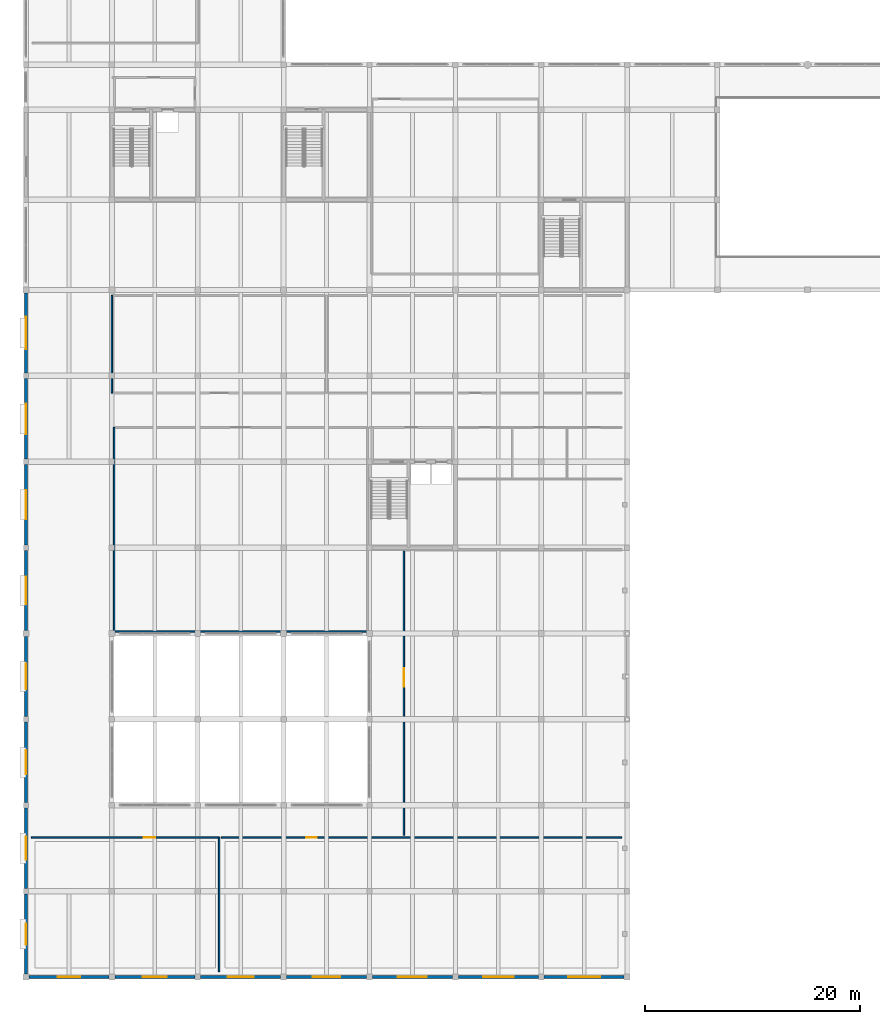
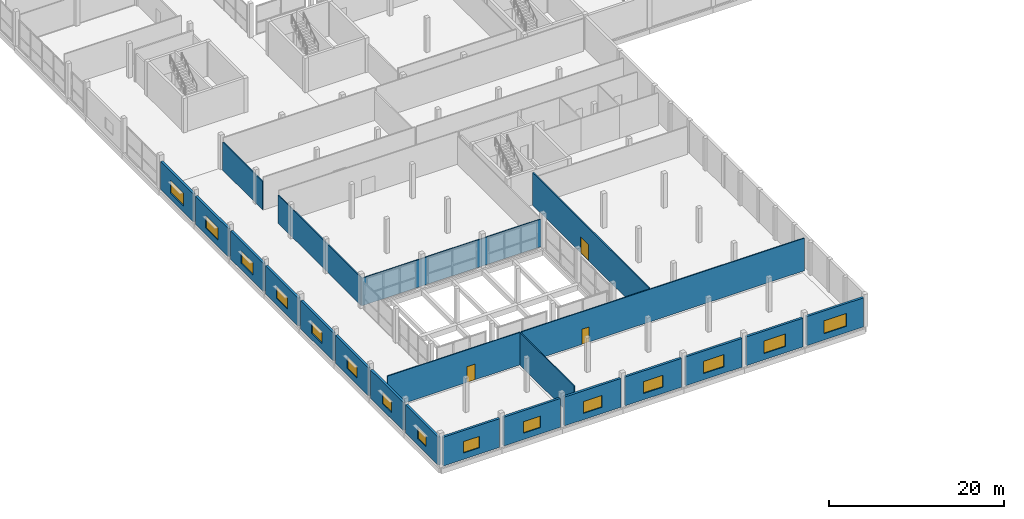
# One storey, part 32 of 47: 22 walls, 15 windows, 3 doors, 18 openings.
"""IFC4 building model written with IfcOpenShell, lengths in metres."""

from ifc_helpers import new_model, si_unit, direction, frame, frame_2d, origin, place, context, subcontext, project, spatial, rectangle, extrude, material, layer, layer_set, type_object, element, fill, save


model = new_model("IFC4")

# Units and contexts
model_context = context("Model", 3, precision=1e-05, world=origin(), true_north=direction((0.0, 1.0)))
body_context = subcontext(model_context, "Body", "Model", "MODEL_VIEW")
ifc_project = project(units=[si_unit("LENGTHUNIT", "METRE"), si_unit("AREAUNIT", "SQUARE_METRE"), si_unit("VOLUMEUNIT", "CUBIC_METRE"), si_unit("PLANEANGLEUNIT", "RADIAN"), si_unit("MASSUNIT", "GRAM", prefix="KILO")], contexts=[model_context])

# Site, building, storey
site_placement = place(None, origin())
site = spatial("IfcSite", under=ifc_project, at=site_placement, CompositionType="ELEMENT")
building_placement = place(site_placement, origin())
building = spatial("IfcBuilding", under=site, at=building_placement, Name="Vharandega Faculty of Natural Sciences", CompositionType="ELEMENT")
storey_placement = place(building_placement, frame((0.0, 0.0, 5.39990234375)))
storey = spatial("IfcBuildingStorey", under=building, at=storey_placement, Name="L01", CompositionType="ELEMENT", Elevation=5.39990234375)

# Wall, opening, door
ifc_material_1 = material(Name="Gypsum fire-board on steel stud", Category="steel")
ifc_layer_1 = layer(ifc_material_1, 0.159912109375, Name="Gypsum fire-board on steel stud")
ifc_layer_set_1 = layer_set([ifc_layer_1], Name="Gypsum fire-board on steel stud")
wall_type_1 = type_object("IfcWallType", Name="Laboratory Fire Corridor Wall 160", PredefinedType="PARTITIONING", material=ifc_layer_set_1)
wall_1_placement = place(storey_placement, frame((35.199951171875, 13.199951171875, 0.0), z_axis=(0.0, 0.0, 1.0), x_axis=(0.0, 1.0, 0.0)))
wall_1 = element("IfcWall", 1, at=wall_1_placement, inside=storey, type_object=wall_type_1, Name="Interior Wall PW-L01-R03W", PredefinedType="PARTITIONING", context=body_context, shape_type="SweptSolid", body=[
    extrude(rectangle(XDim=26.60009765625, YDim=0.159912109375, at=frame_2d((13.300048828125, 0.0))), origin(), (0.0, 0.0, 1.0), 4.5400390625),
])
opening_1_placement = place(wall_1_placement, frame((13.824951171875, 0.0, 0.0)))
opening_1 = element("IfcOpeningElement", 2, at=opening_1_placement, cuts=wall_1, Name="Opening D0250", PredefinedType="OPENING", context=body_context, shape_type="SweptSolid", body=[
    extrude(rectangle(XDim=1.75, YDim=2.199951171875, at=frame_2d((0.875, 1.10009765625))), frame((0.0, 0.08984375, 0.0), z_axis=(0.0, -1.0, 0.0), x_axis=(1.0, 0.0, 0.0)), (0.0, 0.0, 1.0), 0.179931640625),
])
ifc_material_2 = material(Name="Solid-core hardwood timber fire door", Category="wood")
door_type_1 = type_object("IfcDoorType", Name="ID09-HERBARIUM-DBL-1750x2200", OperationType="DOUBLE_DOOR_SINGLE_SWING", PredefinedType="DOOR", material=ifc_material_2)
door_1_placement = place(opening_1_placement, origin())
door_1 = element("IfcDoor", 3, at=door_1_placement, inside=storey, type_object=door_type_1, Name="Botanical Herbarium Specimen Hall Door D0250", OperationType="DOUBLE_DOOR_SINGLE_SWING", OverallHeight=2.199951171875, OverallWidth=1.75, PredefinedType="DOOR", context=body_context, shape_type="SweptSolid", body=[
    extrude(rectangle(XDim=1.75, YDim=2.199951171875, at=frame_2d((0.875, 1.10009765625))), frame((0.0, 0.02490234375, 0.0), z_axis=(0.0, -1.0, 0.0), x_axis=(1.0, 0.0, 0.0)), (0.0, 0.0, 1.0), 0.050048828125),
])
fill(opening_1, door_1)

# Wall
wall_2_placement = place(storey_placement, frame((8.0, 54.39990234375, 0.0), z_axis=(0.0, 0.0, 1.0), x_axis=(0.0, 1.0, 0.0)))
element("IfcWall", 4, at=wall_2_placement, inside=storey, type_object=wall_type_1, Name="Interior Wall PW-L01-R05W", PredefinedType="PARTITIONING", context=body_context, shape_type="SweptSolid", body=[
    extrude(rectangle(XDim=9.10009765625, YDim=0.159912109375, at=frame_2d((4.550048828125, 0.0))), origin(), (0.0, 0.0, 1.0), 3.920166015625),
])

# Wall, opening, window
ifc_material_3 = material(Name="Precast concrete C40/50", Category="concrete")
ifc_layer_2 = layer(ifc_material_3, 0.300048828125, Name="Precast concrete C40/50")
ifc_layer_set_2 = layer_set([ifc_layer_2], Name="Precast concrete C40/50")
wall_type_2 = type_object("IfcWallType", Name="Polychrome Precast Facade Wall 300", PredefinedType="SOLIDWALL", material=ifc_layer_set_2)
wall_3_placement = place(storey_placement, frame((0.0, 0.27294921875, 0.0), z_axis=(0.0, 0.0, 1.0), x_axis=(0.0, 1.0, 0.0)))
wall_3 = element("IfcWall", 5, at=wall_3_placement, inside=storey, type_object=wall_type_2, Name="Exterior Wall EW-V5W-L01-A", PredefinedType="SOLIDWALL", context=body_context, shape_type="SweptSolid", body=[
    extrude(rectangle(XDim=7.47900390625, YDim=0.300048828125, at=frame_2d((3.739501953125, 0.0))), origin(), (0.0, 0.0, 1.0), 3.920166015625),
])
opening_2_placement = place(wall_3_placement, frame((2.751953125, 0.0, 0.8798828125)))
opening_2 = element("IfcOpeningElement", 6, at=opening_2_placement, cuts=wall_3, Name="Opening WN-21", PredefinedType="OPENING", context=body_context, shape_type="SweptSolid", body=[
    extrude(rectangle(XDim=1.949951171875, YDim=1.550048828125, at=frame_2d((0.97509765625, 0.77490234375))), frame((0.0, 0.16015625, 0.0), z_axis=(0.0, -1.0, 0.0), x_axis=(1.0, 0.0, 0.0)), (0.0, 0.0, 1.0), 0.320068359375),
])
ifc_material_4 = material(Name="Double-glazed solar-control glass in thermally broken aluminium frame", Category="aluminium")
window_type_1 = type_object("IfcWindowType", Name="WIN-SEM-195x155", PartitioningType="DOUBLE_PANEL_VERTICAL", PredefinedType="WINDOW", material=ifc_material_4)
window_1_placement = place(opening_2_placement, origin())
window_1 = element("IfcWindow", 7, at=window_1_placement, inside=storey, type_object=window_type_1, Name="Window WIN-L01-0220", OverallHeight=1.550048828125, OverallWidth=1.949951171875, PartitioningType="SINGLE_PANEL", PredefinedType="WINDOW", context=body_context, shape_type="SweptSolid", body=[
    extrude(rectangle(XDim=1.949951171875, YDim=1.550048828125, at=frame_2d((0.97509765625, 0.77490234375))), frame((0.0, 0.030029296875, 0.0), z_axis=(0.0, -1.0, 0.0), x_axis=(1.0, 0.0, 0.0)), (0.0, 0.0, 1.0), 0.06005859375),
])
fill(opening_2, window_1)

wall_4_placement = place(storey_placement, frame((0.0, 8.248046875, 0.0), z_axis=(0.0, 0.0, 1.0), x_axis=(0.0, 1.0, 0.0)))
wall_4 = element("IfcWall", 8, at=wall_4_placement, inside=storey, type_object=wall_type_2, Name="Exterior Wall EW-V5W-L01-B", PredefinedType="SOLIDWALL", context=body_context, shape_type="SweptSolid", body=[
    extrude(rectangle(XDim=7.50390625, YDim=0.300048828125, at=frame_2d((3.751953125, 0.0))), origin(), (0.0, 0.0, 1.0), 3.920166015625),
])
opening_3_placement = place(wall_4_placement, frame((2.701904296875, 0.0, 0.8798828125)))
opening_3 = element("IfcOpeningElement", 9, at=opening_3_placement, cuts=wall_4, Name="Opening WN-22", PredefinedType="OPENING", context=body_context, shape_type="SweptSolid", body=[
    extrude(rectangle(XDim=2.10009765625, YDim=1.60009765625, at=frame_2d((1.050048828125, 0.800048828125))), frame((0.0, 0.16015625, 0.0), z_axis=(0.0, -1.0, 0.0), x_axis=(1.0, 0.0, 0.0)), (0.0, 0.0, 1.0), 0.320068359375),
])
ifc_material_5 = material(Name="Double-glazed solar-control glass in thermally broken aluminium frame", Category="aluminium")
window_type_2 = type_object("IfcWindowType", Name="WIN-SEM-210x160", PartitioningType="DOUBLE_PANEL_VERTICAL", PredefinedType="WINDOW", material=ifc_material_5)
window_2_placement = place(opening_3_placement, origin())
window_2 = element("IfcWindow", 10, at=window_2_placement, inside=storey, type_object=window_type_2, Name="Window WIN-L01-0221", OverallHeight=1.60009765625, OverallWidth=2.10009765625, PartitioningType="SINGLE_PANEL", PredefinedType="WINDOW", context=body_context, shape_type="SweptSolid", body=[
    extrude(rectangle(XDim=2.10009765625, YDim=1.60009765625, at=frame_2d((1.050048828125, 0.800048828125))), frame((0.0, 0.030029296875, 0.0), z_axis=(0.0, -1.0, 0.0), x_axis=(1.0, 0.0, 0.0)), (0.0, 0.0, 1.0), 0.06005859375),
])
fill(opening_3, window_2)

wall_5_placement = place(storey_placement, frame((0.0, 16.248046875, 0.0), z_axis=(0.0, 0.0, 1.0), x_axis=(0.0, 1.0, 0.0)))
wall_5 = element("IfcWall", 11, at=wall_5_placement, inside=storey, type_object=wall_type_2, Name="Exterior Wall EW-V5W-L01-C", PredefinedType="SOLIDWALL", context=body_context, shape_type="SweptSolid", body=[
    extrude(rectangle(XDim=7.50390625, YDim=0.300048828125, at=frame_2d((3.751953125, 0.0))), origin(), (0.0, 0.0, 1.0), 3.920166015625),
])
opening_4_placement = place(wall_5_placement, frame((2.626953125, 0.0, 0.8798828125)))
opening_4 = element("IfcOpeningElement", 12, at=opening_4_placement, cuts=wall_5, Name="Opening WN-23", PredefinedType="OPENING", context=body_context, shape_type="SweptSolid", body=[
    extrude(rectangle(XDim=2.25, YDim=1.60009765625, at=frame_2d((1.125, 0.800048828125))), frame((0.0, 0.16015625, 0.0), z_axis=(0.0, -1.0, 0.0), x_axis=(1.0, 0.0, 0.0)), (0.0, 0.0, 1.0), 0.320068359375),
])
ifc_material_6 = material(Name="Double-glazed solar-control glass in thermally broken aluminium frame", Category="aluminium")
window_type_3 = type_object("IfcWindowType", Name="WIN-SEM-225x160", PartitioningType="DOUBLE_PANEL_VERTICAL", PredefinedType="WINDOW", material=ifc_material_6)
window_3_placement = place(opening_4_placement, origin())
window_3 = element("IfcWindow", 13, at=window_3_placement, inside=storey, type_object=window_type_3, Name="Window WIN-L01-0222", OverallHeight=1.60009765625, OverallWidth=2.25, PartitioningType="SINGLE_PANEL", PredefinedType="WINDOW", context=body_context, shape_type="SweptSolid", body=[
    extrude(rectangle(XDim=2.25, YDim=1.60009765625, at=frame_2d((1.125, 0.800048828125))), frame((0.0, 0.030029296875, 0.0), z_axis=(0.0, -1.0, 0.0), x_axis=(1.0, 0.0, 0.0)), (0.0, 0.0, 1.0), 0.06005859375),
])
fill(opening_4, window_3)

wall_6_placement = place(storey_placement, frame((0.0, 24.248046875, 0.0), z_axis=(0.0, 0.0, 1.0), x_axis=(0.0, 1.0, 0.0)))
wall_6 = element("IfcWall", 14, at=wall_6_placement, inside=storey, type_object=wall_type_2, Name="Exterior Wall EW-V5W-L01-D", PredefinedType="SOLIDWALL", context=body_context, shape_type="SweptSolid", body=[
    extrude(rectangle(XDim=7.47900390625, YDim=0.300048828125, at=frame_2d((3.739501953125, 0.0))), origin(), (0.0, 0.0, 1.0), 3.920166015625),
])
opening_5_placement = place(wall_6_placement, frame((2.552001953125, 0.0, 0.8798828125)))
opening_5 = element("IfcOpeningElement", 15, at=opening_5_placement, cuts=wall_6, Name="Opening WN-24", PredefinedType="OPENING", context=body_context, shape_type="SweptSolid", body=[
    extrude(rectangle(XDim=2.39990234375, YDim=1.64990234375, at=frame_2d((1.199951171875, 0.824951171875))), frame((0.0, 0.16015625, 0.0), z_axis=(0.0, -1.0, 0.0), x_axis=(1.0, 0.0, 0.0)), (0.0, 0.0, 1.0), 0.320068359375),
])
ifc_material_7 = material(Name="Double-glazed solar-control glass in thermally broken aluminium frame", Category="aluminium")
window_type_4 = type_object("IfcWindowType", Name="WIN-SEM-240x165", PartitioningType="DOUBLE_PANEL_VERTICAL", PredefinedType="WINDOW", material=ifc_material_7)
window_4_placement = place(opening_5_placement, origin())
window_4 = element("IfcWindow", 16, at=window_4_placement, inside=storey, type_object=window_type_4, Name="Window WIN-L01-0223", OverallHeight=1.64990234375, OverallWidth=2.39990234375, PartitioningType="SINGLE_PANEL", PredefinedType="WINDOW", context=body_context, shape_type="SweptSolid", body=[
    extrude(rectangle(XDim=2.39990234375, YDim=1.64990234375, at=frame_2d((1.199951171875, 0.824951171875))), frame((0.0, 0.030029296875, 0.0), z_axis=(0.0, -1.0, 0.0), x_axis=(1.0, 0.0, 0.0)), (0.0, 0.0, 1.0), 0.06005859375),
])
fill(opening_5, window_4)

wall_7_placement = place(storey_placement, frame((0.0, 32.27294921875, 0.0), z_axis=(0.0, 0.0, 1.0), x_axis=(0.0, 1.0, 0.0)))
wall_7 = element("IfcWall", 17, at=wall_7_placement, inside=storey, type_object=wall_type_2, Name="Exterior Wall EW-V5W-L01-E", PredefinedType="SOLIDWALL", context=body_context, shape_type="SweptSolid", body=[
    extrude(rectangle(XDim=7.47900390625, YDim=0.300048828125, at=frame_2d((3.739501953125, 0.0))), origin(), (0.0, 0.0, 1.0), 3.920166015625),
])
opening_6_placement = place(wall_7_placement, frame((2.451904296875, 0.0, 0.8798828125)))
opening_6 = element("IfcOpeningElement", 18, at=opening_6_placement, cuts=wall_7, Name="Opening WN-25", PredefinedType="OPENING", context=body_context, shape_type="SweptSolid", body=[
    extrude(rectangle(XDim=2.550048828125, YDim=1.64990234375, at=frame_2d((1.27490234375, 0.824951171875))), frame((0.0, 0.16015625, 0.0), z_axis=(0.0, -1.0, 0.0), x_axis=(1.0, 0.0, 0.0)), (0.0, 0.0, 1.0), 0.320068359375),
])
ifc_material_8 = material(Name="Double-glazed solar-control glass in thermally broken aluminium frame", Category="aluminium")
window_type_5 = type_object("IfcWindowType", Name="WIN-SEM-255x165", PartitioningType="DOUBLE_PANEL_VERTICAL", PredefinedType="WINDOW", material=ifc_material_8)
window_5_placement = place(opening_6_placement, origin())
window_5 = element("IfcWindow", 19, at=window_5_placement, inside=storey, type_object=window_type_5, Name="Window WIN-L01-0224", OverallHeight=1.64990234375, OverallWidth=2.550048828125, PartitioningType="SINGLE_PANEL", PredefinedType="WINDOW", context=body_context, shape_type="SweptSolid", body=[
    extrude(rectangle(XDim=2.550048828125, YDim=1.64990234375, at=frame_2d((1.27490234375, 0.824951171875))), frame((0.0, 0.030029296875, 0.0), z_axis=(0.0, -1.0, 0.0), x_axis=(1.0, 0.0, 0.0)), (0.0, 0.0, 1.0), 0.06005859375),
])
fill(opening_6, window_5)

wall_8_placement = place(storey_placement, frame((0.0, 40.248046875, 0.0), z_axis=(0.0, 0.0, 1.0), x_axis=(0.0, 1.0, 0.0)))
wall_8 = element("IfcWall", 20, at=wall_8_placement, inside=storey, type_object=wall_type_2, Name="Exterior Wall EW-V5W-L01-F", PredefinedType="SOLIDWALL", context=body_context, shape_type="SweptSolid", body=[
    extrude(rectangle(XDim=7.50390625, YDim=0.300048828125, at=frame_2d((3.751953125, 0.0))), origin(), (0.0, 0.0, 1.0), 3.920166015625),
])
opening_7_placement = place(wall_8_placement, frame((2.402099609375, 0.0, 0.8798828125)))
opening_7 = element("IfcOpeningElement", 21, at=opening_7_placement, cuts=wall_8, Name="Opening WN-26", PredefinedType="OPENING", context=body_context, shape_type="SweptSolid", body=[
    extrude(rectangle(XDim=2.699951171875, YDim=1.699951171875, at=frame_2d((1.35009765625, 0.85009765625))), frame((0.0, 0.16015625, 0.0), z_axis=(0.0, -1.0, 0.0), x_axis=(1.0, 0.0, 0.0)), (0.0, 0.0, 1.0), 0.320068359375),
])
ifc_material_9 = material(Name="Double-glazed solar-control glass in thermally broken aluminium frame", Category="aluminium")
window_type_6 = type_object("IfcWindowType", Name="WIN-SEM-270x170", PartitioningType="DOUBLE_PANEL_VERTICAL", PredefinedType="WINDOW", material=ifc_material_9)
window_6_placement = place(opening_7_placement, origin())
window_6 = element("IfcWindow", 22, at=window_6_placement, inside=storey, type_object=window_type_6, Name="Window WIN-L01-0225", OverallHeight=1.699951171875, OverallWidth=2.699951171875, PartitioningType="SINGLE_PANEL", PredefinedType="WINDOW", context=body_context, shape_type="SweptSolid", body=[
    extrude(rectangle(XDim=2.699951171875, YDim=1.699951171875, at=frame_2d((1.35009765625, 0.85009765625))), frame((0.0, 0.030029296875, 0.0), z_axis=(0.0, -1.0, 0.0), x_axis=(1.0, 0.0, 0.0)), (0.0, 0.0, 1.0), 0.06005859375),
])
fill(opening_7, window_6)

wall_9_placement = place(storey_placement, frame((0.0, 48.248046875, 0.0), z_axis=(0.0, 0.0, 1.0), x_axis=(0.0, 1.0, 0.0)))
wall_9 = element("IfcWall", 23, at=wall_9_placement, inside=storey, type_object=wall_type_2, Name="Exterior Wall EW-V5W-L01-G", PredefinedType="SOLIDWALL", context=body_context, shape_type="SweptSolid", body=[
    extrude(rectangle(XDim=7.50390625, YDim=0.300048828125, at=frame_2d((3.751953125, 0.0))), origin(), (0.0, 0.0, 1.0), 3.920166015625),
])
opening_8_placement = place(wall_9_placement, frame((2.326904296875, 0.0, 0.8798828125)))
opening_8 = element("IfcOpeningElement", 24, at=opening_8_placement, cuts=wall_9, Name="Opening WN-27", PredefinedType="OPENING", context=body_context, shape_type="SweptSolid", body=[
    extrude(rectangle(XDim=2.85009765625, YDim=1.75, at=frame_2d((1.425048828125, 0.875))), frame((0.0, 0.16015625, 0.0), z_axis=(0.0, -1.0, 0.0), x_axis=(1.0, 0.0, 0.0)), (0.0, 0.0, 1.0), 0.320068359375),
])
ifc_material_10 = material(Name="Double-glazed solar-control glass in thermally broken aluminium frame", Category="aluminium")
window_type_7 = type_object("IfcWindowType", Name="WIN-SEM-285x175", PartitioningType="DOUBLE_PANEL_VERTICAL", PredefinedType="WINDOW", material=ifc_material_10)
window_7_placement = place(opening_8_placement, origin())
window_7 = element("IfcWindow", 25, at=window_7_placement, inside=storey, type_object=window_type_7, Name="Window WIN-L01-0226", OverallHeight=1.75, OverallWidth=2.85009765625, PartitioningType="SINGLE_PANEL", PredefinedType="WINDOW", context=body_context, shape_type="SweptSolid", body=[
    extrude(rectangle(XDim=2.85009765625, YDim=1.75, at=frame_2d((1.425048828125, 0.875))), frame((0.0, 0.030029296875, 0.0), z_axis=(0.0, -1.0, 0.0), x_axis=(1.0, 0.0, 0.0)), (0.0, 0.0, 1.0), 0.06005859375),
])
fill(opening_8, window_7)

wall_10_placement = place(storey_placement, frame((0.0, 56.248046875, 0.0), z_axis=(0.0, 0.0, 1.0), x_axis=(0.0, 1.0, 0.0)))
wall_10 = element("IfcWall", 26, at=wall_10_placement, inside=storey, type_object=wall_type_2, Name="Exterior Wall EW-V5W-L01-H", PredefinedType="SOLIDWALL", context=body_context, shape_type="SweptSolid", body=[
    extrude(rectangle(XDim=7.47900390625, YDim=0.300048828125, at=frame_2d((3.739501953125, 0.0))), origin(), (0.0, 0.0, 1.0), 3.920166015625),
])
opening_9_placement = place(wall_10_placement, frame((2.251953125, 0.0, 0.8798828125)))
opening_9 = element("IfcOpeningElement", 27, at=opening_9_placement, cuts=wall_10, Name="Opening WN-28", PredefinedType="OPENING", context=body_context, shape_type="SweptSolid", body=[
    extrude(rectangle(XDim=3.0, YDim=1.800048828125, at=frame_2d((1.5, 0.89990234375))), frame((0.0, 0.16015625, 0.0), z_axis=(0.0, -1.0, 0.0), x_axis=(1.0, 0.0, 0.0)), (0.0, 0.0, 1.0), 0.320068359375),
])
ifc_material_11 = material(Name="Double-glazed solar-control glass in thermally broken aluminium frame", Category="aluminium")
window_type_8 = type_object("IfcWindowType", Name="WIN-SEM-300x180", PartitioningType="DOUBLE_PANEL_VERTICAL", PredefinedType="WINDOW", material=ifc_material_11)
window_8_placement = place(opening_9_placement, origin())
window_8 = element("IfcWindow", 28, at=window_8_placement, inside=storey, type_object=window_type_8, Name="Window WIN-L01-0227", OverallHeight=1.800048828125, OverallWidth=3.0, PartitioningType="SINGLE_PANEL", PredefinedType="WINDOW", context=body_context, shape_type="SweptSolid", body=[
    extrude(rectangle(XDim=3.0, YDim=1.800048828125, at=frame_2d((1.5, 0.89990234375))), frame((0.0, 0.030029296875, 0.0), z_axis=(0.0, -1.0, 0.0), x_axis=(1.0, 0.0, 0.0)), (0.0, 0.0, 1.0), 0.06005859375),
])
fill(opening_9, window_8)

wall_11_placement = place(storey_placement, frame((7.72705078125, 0.0, 0.0), z_axis=(0.0, 0.0, 1.0), x_axis=(-1.0, 0.0, 0.0)))
wall_11 = element("IfcWall", 29, at=wall_11_placement, inside=storey, type_object=wall_type_2, Name="Exterior Wall EW-V5S-L01-1", PredefinedType="SOLIDWALL", context=body_context, shape_type="SweptSolid", body=[
    extrude(rectangle(XDim=7.4541015625, YDim=0.300048828125, at=frame_2d((3.72705078125, 0.0))), origin(), (0.0, 0.0, 1.0), 4.02001953125),
])
opening_10_placement = place(wall_11_placement, frame((2.677001953125, 0.0, 0.8798828125)))
opening_10 = element("IfcOpeningElement", 30, at=opening_10_placement, cuts=wall_11, Name="Opening WN-22", PredefinedType="OPENING", context=body_context, shape_type="SweptSolid", body=[
    extrude(rectangle(XDim=2.10009765625, YDim=1.60009765625, at=frame_2d((1.050048828125, 0.800048828125))), frame((0.0, 0.16015625, 0.0), z_axis=(0.0, -1.0, 0.0), x_axis=(1.0, 0.0, 0.0)), (0.0, 0.0, 1.0), 0.320068359375),
])
window_9_placement = place(opening_10_placement, origin())
window_9 = element("IfcWindow", 31, at=window_9_placement, inside=storey, type_object=window_type_2, Name="Window WIN-L01-0228", OverallHeight=1.60009765625, OverallWidth=2.10009765625, PartitioningType="SINGLE_PANEL", PredefinedType="WINDOW", context=body_context, shape_type="SweptSolid", body=[
    extrude(rectangle(XDim=2.10009765625, YDim=1.60009765625, at=frame_2d((1.050048828125, 0.800048828125))), frame((0.0, 0.030029296875, 0.0), z_axis=(0.0, -1.0, 0.0), x_axis=(1.0, 0.0, 0.0)), (0.0, 0.0, 1.0), 0.06005859375),
])
fill(opening_10, window_9)

wall_12_placement = place(storey_placement, frame((15.72705078125, 0.0, 0.0), z_axis=(0.0, 0.0, 1.0), x_axis=(-1.0, 0.0, 0.0)))
wall_12 = element("IfcWall", 32, at=wall_12_placement, inside=storey, type_object=wall_type_2, Name="Exterior Wall EW-V5S-L01-2", PredefinedType="SOLIDWALL", context=body_context, shape_type="SweptSolid", body=[
    extrude(rectangle(XDim=7.4541015625, YDim=0.300048828125, at=frame_2d((3.72705078125, 0.0))), origin(), (0.0, 0.0, 1.0), 4.02001953125),
])
opening_11_placement = place(wall_12_placement, frame((2.60205078125, 0.0, 0.8798828125)))
opening_11 = element("IfcOpeningElement", 33, at=opening_11_placement, cuts=wall_12, Name="Opening WN-23", PredefinedType="OPENING", context=body_context, shape_type="SweptSolid", body=[
    extrude(rectangle(XDim=2.25, YDim=1.60009765625, at=frame_2d((1.125, 0.800048828125))), frame((0.0, 0.16015625, 0.0), z_axis=(0.0, -1.0, 0.0), x_axis=(1.0, 0.0, 0.0)), (0.0, 0.0, 1.0), 0.320068359375),
])
window_10_placement = place(opening_11_placement, origin())
window_10 = element("IfcWindow", 34, at=window_10_placement, inside=storey, type_object=window_type_3, Name="Window WIN-L01-0229", OverallHeight=1.60009765625, OverallWidth=2.25, PartitioningType="SINGLE_PANEL", PredefinedType="WINDOW", context=body_context, shape_type="SweptSolid", body=[
    extrude(rectangle(XDim=2.25, YDim=1.60009765625, at=frame_2d((1.125, 0.800048828125))), frame((0.0, 0.030029296875, 0.0), z_axis=(0.0, -1.0, 0.0), x_axis=(1.0, 0.0, 0.0)), (0.0, 0.0, 1.0), 0.06005859375),
])
fill(opening_11, window_10)

wall_13_placement = place(storey_placement, frame((23.72705078125, 0.0, 0.0), z_axis=(0.0, 0.0, 1.0), x_axis=(-1.0, 0.0, 0.0)))
wall_13 = element("IfcWall", 35, at=wall_13_placement, inside=storey, type_object=wall_type_2, Name="Exterior Wall EW-V5S-L01-3", PredefinedType="SOLIDWALL", context=body_context, shape_type="SweptSolid", body=[
    extrude(rectangle(XDim=7.4541015625, YDim=0.300048828125, at=frame_2d((3.72705078125, 0.0))), origin(), (0.0, 0.0, 1.0), 4.02001953125),
])
opening_12_placement = place(wall_13_placement, frame((2.527099609375, 0.0, 0.8798828125)))
opening_12 = element("IfcOpeningElement", 36, at=opening_12_placement, cuts=wall_13, Name="Opening WN-24", PredefinedType="OPENING", context=body_context, shape_type="SweptSolid", body=[
    extrude(rectangle(XDim=2.39990234375, YDim=1.64990234375, at=frame_2d((1.199951171875, 0.824951171875))), frame((0.0, 0.16015625, 0.0), z_axis=(0.0, -1.0, 0.0), x_axis=(1.0, 0.0, 0.0)), (0.0, 0.0, 1.0), 0.320068359375),
])
window_11_placement = place(opening_12_placement, origin())
window_11 = element("IfcWindow", 37, at=window_11_placement, inside=storey, type_object=window_type_4, Name="Window WIN-L01-0230", OverallHeight=1.64990234375, OverallWidth=2.39990234375, PartitioningType="SINGLE_PANEL", PredefinedType="WINDOW", context=body_context, shape_type="SweptSolid", body=[
    extrude(rectangle(XDim=2.39990234375, YDim=1.64990234375, at=frame_2d((1.199951171875, 0.824951171875))), frame((0.0, 0.030029296875, 0.0), z_axis=(0.0, -1.0, 0.0), x_axis=(1.0, 0.0, 0.0)), (0.0, 0.0, 1.0), 0.06005859375),
])
fill(opening_12, window_11)

wall_14_placement = place(storey_placement, frame((31.72705078125, 0.0, 0.0), z_axis=(0.0, 0.0, 1.0), x_axis=(-1.0, 0.0, 0.0)))
wall_14 = element("IfcWall", 38, at=wall_14_placement, inside=storey, type_object=wall_type_2, Name="Exterior Wall EW-V5S-L01-4", PredefinedType="SOLIDWALL", context=body_context, shape_type="SweptSolid", body=[
    extrude(rectangle(XDim=7.4541015625, YDim=0.300048828125, at=frame_2d((3.72705078125, 0.0))), origin(), (0.0, 0.0, 1.0), 4.02001953125),
])
opening_13_placement = place(wall_14_placement, frame((2.451904296875, 0.0, 0.8798828125)))
opening_13 = element("IfcOpeningElement", 39, at=opening_13_placement, cuts=wall_14, Name="Opening WN-25", PredefinedType="OPENING", context=body_context, shape_type="SweptSolid", body=[
    extrude(rectangle(XDim=2.550048828125, YDim=1.64990234375, at=frame_2d((1.27490234375, 0.824951171875))), frame((0.0, 0.16015625, 0.0), z_axis=(0.0, -1.0, 0.0), x_axis=(1.0, 0.0, 0.0)), (0.0, 0.0, 1.0), 0.320068359375),
])
window_12_placement = place(opening_13_placement, origin())
window_12 = element("IfcWindow", 40, at=window_12_placement, inside=storey, type_object=window_type_5, Name="Window WIN-L01-0231", OverallHeight=1.64990234375, OverallWidth=2.550048828125, PartitioningType="SINGLE_PANEL", PredefinedType="WINDOW", context=body_context, shape_type="SweptSolid", body=[
    extrude(rectangle(XDim=2.550048828125, YDim=1.64990234375, at=frame_2d((1.27490234375, 0.824951171875))), frame((0.0, 0.030029296875, 0.0), z_axis=(0.0, -1.0, 0.0), x_axis=(1.0, 0.0, 0.0)), (0.0, 0.0, 1.0), 0.06005859375),
])
fill(opening_13, window_12)

wall_15_placement = place(storey_placement, frame((39.72705078125, 0.0, 0.0), z_axis=(0.0, 0.0, 1.0), x_axis=(-1.0, 0.0, 0.0)))
wall_15 = element("IfcWall", 41, at=wall_15_placement, inside=storey, type_object=wall_type_2, Name="Exterior Wall EW-V5S-L01-5", PredefinedType="SOLIDWALL", context=body_context, shape_type="SweptSolid", body=[
    extrude(rectangle(XDim=7.4541015625, YDim=0.300048828125, at=frame_2d((3.72705078125, 0.0))), origin(), (0.0, 0.0, 1.0), 4.02001953125),
])
opening_14_placement = place(wall_15_placement, frame((2.376953125, 0.0, 0.8798828125)))
opening_14 = element("IfcOpeningElement", 42, at=opening_14_placement, cuts=wall_15, Name="Opening WN-26", PredefinedType="OPENING", context=body_context, shape_type="SweptSolid", body=[
    extrude(rectangle(XDim=2.699951171875, YDim=1.699951171875, at=frame_2d((1.35009765625, 0.85009765625))), frame((0.0, 0.16015625, 0.0), z_axis=(0.0, -1.0, 0.0), x_axis=(1.0, 0.0, 0.0)), (0.0, 0.0, 1.0), 0.320068359375),
])
window_13_placement = place(opening_14_placement, origin())
window_13 = element("IfcWindow", 43, at=window_13_placement, inside=storey, type_object=window_type_6, Name="Window WIN-L01-0232", OverallHeight=1.699951171875, OverallWidth=2.699951171875, PartitioningType="SINGLE_PANEL", PredefinedType="WINDOW", context=body_context, shape_type="SweptSolid", body=[
    extrude(rectangle(XDim=2.699951171875, YDim=1.699951171875, at=frame_2d((1.35009765625, 0.85009765625))), frame((0.0, 0.030029296875, 0.0), z_axis=(0.0, -1.0, 0.0), x_axis=(1.0, 0.0, 0.0)), (0.0, 0.0, 1.0), 0.06005859375),
])
fill(opening_14, window_13)

wall_16_placement = place(storey_placement, frame((47.72705078125, 0.0, 0.0), z_axis=(0.0, 0.0, 1.0), x_axis=(-1.0, 0.0, 0.0)))
wall_16 = element("IfcWall", 44, at=wall_16_placement, inside=storey, type_object=wall_type_2, Name="Exterior Wall EW-V5S-L01-6", PredefinedType="SOLIDWALL", context=body_context, shape_type="SweptSolid", body=[
    extrude(rectangle(XDim=7.4541015625, YDim=0.300048828125, at=frame_2d((3.72705078125, 0.0))), origin(), (0.0, 0.0, 1.0), 4.02001953125),
])
opening_15_placement = place(wall_16_placement, frame((2.302001953125, 0.0, 0.8798828125)))
opening_15 = element("IfcOpeningElement", 45, at=opening_15_placement, cuts=wall_16, Name="Opening WN-27", PredefinedType="OPENING", context=body_context, shape_type="SweptSolid", body=[
    extrude(rectangle(XDim=2.85009765625, YDim=1.75, at=frame_2d((1.425048828125, 0.875))), frame((0.0, 0.16015625, 0.0), z_axis=(0.0, -1.0, 0.0), x_axis=(1.0, 0.0, 0.0)), (0.0, 0.0, 1.0), 0.320068359375),
])
window_14_placement = place(opening_15_placement, origin())
window_14 = element("IfcWindow", 46, at=window_14_placement, inside=storey, type_object=window_type_7, Name="Window WIN-L01-0233", OverallHeight=1.75, OverallWidth=2.85009765625, PartitioningType="SINGLE_PANEL", PredefinedType="WINDOW", context=body_context, shape_type="SweptSolid", body=[
    extrude(rectangle(XDim=2.85009765625, YDim=1.75, at=frame_2d((1.425048828125, 0.875))), frame((0.0, 0.030029296875, 0.0), z_axis=(0.0, -1.0, 0.0), x_axis=(1.0, 0.0, 0.0)), (0.0, 0.0, 1.0), 0.06005859375),
])
fill(opening_15, window_14)

wall_17_placement = place(storey_placement, frame((55.72705078125, 0.0, 0.0), z_axis=(0.0, 0.0, 1.0), x_axis=(-1.0, 0.0, 0.0)))
wall_17 = element("IfcWall", 47, at=wall_17_placement, inside=storey, type_object=wall_type_2, Name="Exterior Wall EW-V5S-L01-7", PredefinedType="SOLIDWALL", context=body_context, shape_type="SweptSolid", body=[
    extrude(rectangle(XDim=7.4541015625, YDim=0.300048828125, at=frame_2d((3.72705078125, 0.0))), origin(), (0.0, 0.0, 1.0), 4.06005859375),
])
opening_16_placement = place(wall_17_placement, frame((2.22705078125, 0.0, 0.8798828125)))
opening_16 = element("IfcOpeningElement", 48, at=opening_16_placement, cuts=wall_17, Name="Opening WN-28", PredefinedType="OPENING", context=body_context, shape_type="SweptSolid", body=[
    extrude(rectangle(XDim=3.0, YDim=1.800048828125, at=frame_2d((1.5, 0.89990234375))), frame((0.0, 0.16015625, 0.0), z_axis=(0.0, -1.0, 0.0), x_axis=(1.0, 0.0, 0.0)), (0.0, 0.0, 1.0), 0.320068359375),
])
window_15_placement = place(opening_16_placement, origin())
window_15 = element("IfcWindow", 49, at=window_15_placement, inside=storey, type_object=window_type_8, Name="Window WIN-L01-0234", OverallHeight=1.800048828125, OverallWidth=3.0, PartitioningType="SINGLE_PANEL", PredefinedType="WINDOW", context=body_context, shape_type="SweptSolid", body=[
    extrude(rectangle(XDim=3.0, YDim=1.800048828125, at=frame_2d((1.5, 0.89990234375))), frame((0.0, 0.030029296875, 0.0), z_axis=(0.0, -1.0, 0.0), x_axis=(1.0, 0.0, 0.0)), (0.0, 0.0, 1.0), 0.06005859375),
])
fill(opening_16, window_15)

# Wall, opening, door
ifc_material_12 = material(Name="Gypsum acoustic partition", Category="gypsum")
ifc_layer_3 = layer(ifc_material_12, 0.139892578125, Name="Gypsum acoustic partition")
ifc_layer_set_3 = layer_set([ifc_layer_3], Name="Gypsum acoustic partition")
wall_type_3 = type_object("IfcWallType", Name="Room Partition Wall 140", PredefinedType="PARTITIONING", material=ifc_layer_set_3)
wall_18_placement = place(storey_placement, frame((0.5, 13.0, 0.0), z_axis=(0.0, 0.0, 1.0), x_axis=(1.0, 0.0, 0.0)))
wall_18 = element("IfcWall", 50, at=wall_18_placement, inside=storey, type_object=wall_type_3, Name="Interior Wall PW-L01-R01N", PredefinedType="PARTITIONING", context=body_context, shape_type="SweptSolid", body=[
    extrude(rectangle(XDim=17.5, YDim=0.139892578125, at=frame_2d((8.75, 0.0))), origin(), (0.0, 0.0, 1.0), 4.5400390625),
])
opening_17_placement = place(wall_18_placement, frame((10.4599609375, 0.0, 0.0)))
opening_17 = element("IfcOpeningElement", 51, at=opening_17_placement, cuts=wall_18, Name="Opening D0248", PredefinedType="OPENING", context=body_context, shape_type="SweptSolid", body=[
    extrude(rectangle(XDim=1.080078125, YDim=2.199951171875, at=frame_2d((0.5400390625, 1.10009765625))), frame((0.0, 0.080078125, 0.0), z_axis=(0.0, -1.0, 0.0), x_axis=(1.0, 0.0, 0.0)), (0.0, 0.0, 1.0), 0.159912109375),
])
ifc_material_13 = material(Name="Solid-core hardwood timber fire door", Category="wood")
door_type_2 = type_object("IfcDoorType", Name="ID03-SEMINAR-1080x2200", OperationType="NOTDEFINED", PredefinedType="DOOR", material=ifc_material_13)
door_2_placement = place(opening_17_placement, origin())
door_2 = element("IfcDoor", 52, at=door_2_placement, inside=storey, type_object=door_type_2, Name="Seminar Room 101 Door D0248", OperationType="SINGLE_SWING_LEFT", OverallHeight=2.199951171875, OverallWidth=1.080078125, PredefinedType="DOOR", context=body_context, shape_type="SweptSolid", body=[
    extrude(rectangle(XDim=1.080078125, YDim=2.199951171875, at=frame_2d((0.5400390625, 1.10009765625))), frame((0.0, 0.02490234375, 0.0), z_axis=(0.0, -1.0, 0.0), x_axis=(1.0, 0.0, 0.0)), (0.0, 0.0, 1.0), 0.050048828125),
])
fill(opening_17, door_2)

# Wall
wall_19_placement = place(storey_placement, frame((18.0, 0.5, 0.0), z_axis=(0.0, 0.0, 1.0), x_axis=(0.0, 1.0, 0.0)))
element("IfcWall", 53, at=wall_19_placement, inside=storey, type_object=wall_type_3, Name="Interior Wall PW-L01-R01E", PredefinedType="PARTITIONING", context=body_context, shape_type="SweptSolid", body=[
    extrude(rectangle(XDim=12.5, YDim=0.139892578125, at=frame_2d((6.25, 0.0))), origin(), (0.0, 0.0, 1.0), 4.5400390625),
])

# Wall, opening, door
wall_20_placement = place(storey_placement, frame((18.199951171875, 13.0, 0.0), z_axis=(0.0, 0.0, 1.0), x_axis=(1.0, 0.0, 0.0)))
wall_20 = element("IfcWall", 54, at=wall_20_placement, inside=storey, type_object=wall_type_3, Name="Interior Wall PW-L01-R02N", PredefinedType="PARTITIONING", context=body_context, shape_type="SweptSolid", body=[
    extrude(rectangle(XDim=37.300048828125, YDim=0.139892578125, at=frame_2d((18.64990234375, 0.0))), origin(), (0.0, 0.0, 1.0), 4.5400390625),
])
opening_18_placement = place(wall_20_placement, frame((7.925048828125, 0.0, 0.0)))
opening_18 = element("IfcOpeningElement", 55, at=opening_18_placement, cuts=wall_20, Name="Opening D0249", PredefinedType="OPENING", context=body_context, shape_type="SweptSolid", body=[
    extrude(rectangle(XDim=0.949951171875, YDim=2.10009765625, at=frame_2d((0.47509765625, 1.050048828125))), frame((0.0, 0.080078125, 0.0), z_axis=(0.0, -1.0, 0.0), x_axis=(1.0, 0.0, 0.0)), (0.0, 0.0, 1.0), 0.159912109375),
])
ifc_material_14 = material(Name="Solid-core hardwood timber fire door", Category="wood")
door_type_3 = type_object("IfcDoorType", Name="ID04-OFFICE-0950x2100", OperationType="NOTDEFINED", PredefinedType="DOOR", material=ifc_material_14)
door_3_placement = place(opening_18_placement, origin())
door_3 = element("IfcDoor", 56, at=door_3_placement, inside=storey, type_object=door_type_3, Name="Seminar Room 102 Door D0249", OperationType="SINGLE_SWING_RIGHT", OverallHeight=2.10009765625, OverallWidth=0.949951171875, PredefinedType="DOOR", context=body_context, shape_type="SweptSolid", body=[
    extrude(rectangle(XDim=0.949951171875, YDim=2.10009765625, at=frame_2d((0.47509765625, 1.050048828125))), frame((0.0, 0.02490234375, 0.0), z_axis=(0.0, -1.0, 0.0), x_axis=(1.0, 0.0, 0.0)), (0.0, 0.0, 1.0), 0.050048828125),
])
fill(opening_18, door_3)

# Walls
wall_21_placement = place(storey_placement, frame((8.199951171875, 32.199951171875, 0.0), z_axis=(0.0, 0.0, 1.0), x_axis=(1.0, 0.0, 0.0)))
element("IfcWall", 57, at=wall_21_placement, inside=storey, type_object=wall_type_3, Name="Interior Wall PW-L01-R04S", PredefinedType="PARTITIONING", context=body_context, shape_type="SweptSolid", body=[
    extrude(rectangle(XDim=23.60009765625, YDim=0.139892578125, at=frame_2d((11.800048828125, 0.0))), origin(), (0.0, 0.0, 1.0), 3.840087890625),
])
wall_22_placement = place(storey_placement, frame((8.199951171875, 32.199951171875, 0.0), z_axis=(0.0, 0.0, 1.0), x_axis=(0.0, 1.0, 0.0)))
element("IfcWall", 58, at=wall_22_placement, inside=storey, type_object=wall_type_3, Name="Interior Wall PW-L01-R04W", PredefinedType="PARTITIONING", context=body_context, shape_type="SweptSolid", body=[
    extrude(rectangle(XDim=19.0, YDim=0.139892578125, at=frame_2d((9.5, 0.0))), origin(), (0.0, 0.0, 1.0), 3.920166015625),
])

save(model, "model.ifc")
